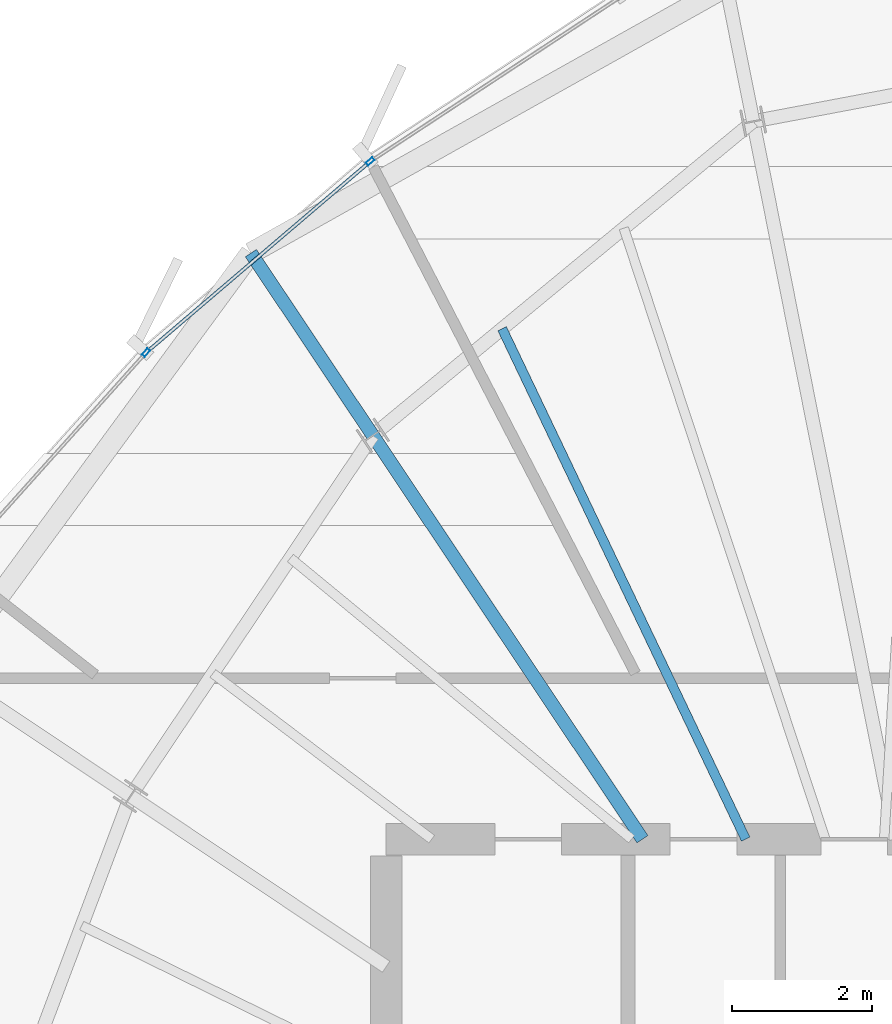
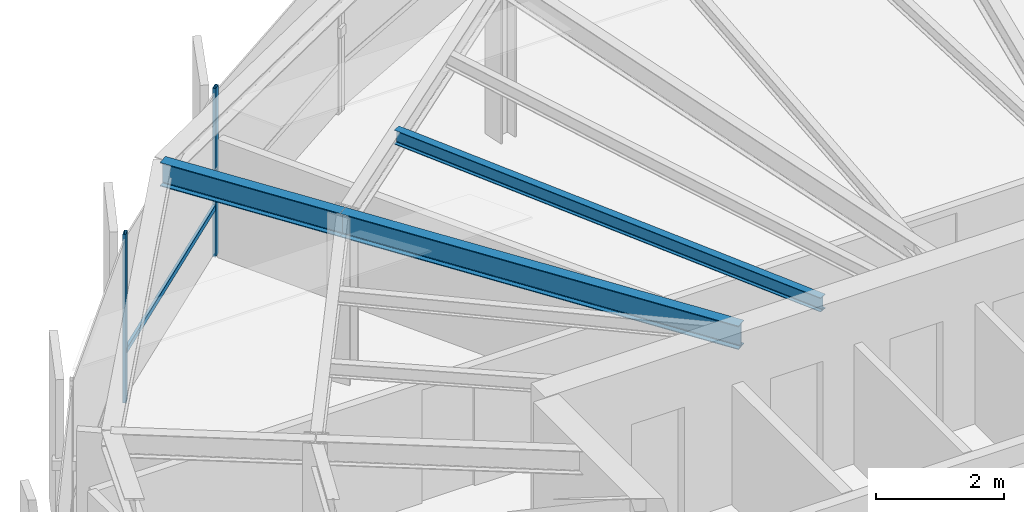
# One storey, part 20 of 35: 3 beams, 3 members, 1 element without a shape of its own.
"""IFC4 building model written with IfcOpenShell, lengths in metres."""

from ifc_helpers import new_model, si_unit, direction, frame, origin, origin_2d, place, context, subcontext, project, spatial, hollow_rectangle, i_section, extrude, source, transform, mapped, material, layer, layer_set, material_profile, profile_set, type_object, element, aggregate, save


model = new_model("IFC4")

# Units and contexts
model_context = context("Model", 3, precision=1e-05, world=origin(), true_north=direction((0.0, 1.0)))
body_context = subcontext(model_context, "Body", "Model", "MODEL_VIEW")
ifc_project = project(units=[si_unit("LENGTHUNIT", "METRE"), si_unit("AREAUNIT", "SQUARE_METRE"), si_unit("VOLUMEUNIT", "CUBIC_METRE"), si_unit("PLANEANGLEUNIT", "RADIAN"), si_unit("MASSUNIT", "GRAM", prefix="KILO"), si_unit("THERMODYNAMICTEMPERATUREUNIT", "KELVIN")], contexts=[model_context])

# Site, building, storey
site_placement = place(None, origin())
site = spatial("IfcSite", under=ifc_project, at=site_placement, CompositionType="ELEMENT")
building_placement = place(site_placement, origin())
building = spatial("IfcBuilding", under=site, at=building_placement, Name="Kethvar Cultural Tower", CompositionType="ELEMENT")
storey_placement = place(building_placement, frame((0.0, 0.0, 245.64990234375)))
storey = spatial("IfcBuildingStorey", under=building, at=storey_placement, Name="L64", CompositionType="ELEMENT", Elevation=245.64990234375)

# Beams
ifc_material_1 = material(Name="Steel S355J2", Category="steel")
ifc_material_profile_1 = material_profile(ifc_material_1, i_section(OverallWidth=0.18994140625, OverallDepth=0.449951171875, WebThickness=0.009521484375, FlangeThickness=0.0146484375, FilletRadius=0.02099609375, at=origin_2d()), Name="Steel S355J2 — IPE450")
ifc_profile_set_1 = profile_set([ifc_material_profile_1], Name="Steel S355J2 — IPE450")
beam_type_1 = type_object("IfcBeamType", Name="BM-IPE450", PredefinedType="BEAM", material=ifc_profile_set_1)
shared_shape_1 = source(origin(), body_context, "Body", "SweptSolid", [
    extrude(i_section(OverallWidth=0.18994140625, OverallDepth=0.449951171875, WebThickness=0.009521484375, FlangeThickness=0.0146484375, FilletRadius=0.02099609375, at=origin_2d()), origin(), (0.0, 0.0, 1.0), 6.921630859375),
])
beam_1_placement = place(storey_placement, frame((41.655029296875, 35.5, 2.983154296875), z_axis=(-0.555570841874, 0.831469205479, 0.0), x_axis=(-0.831469205479, -0.555570841874, 0.0)))
element("IfcBeam", 1, at=beam_1_placement, inside=storey, type_object=beam_type_1, Name="L64 Primary Radial Beam RB-06", PredefinedType="BEAM", context=body_context, shape_type="MappedRepresentation", body=[
    mapped(shared_shape_1, transform((0.0, 0.0, 0.0), scale=1.0)),
])
ifc_material_profile_2 = material_profile(ifc_material_1, i_section(OverallWidth=0.135009765625, OverallDepth=0.27001953125, WebThickness=0.006591796875, FlangeThickness=0.01025390625, FilletRadius=0.014892578125, at=origin_2d()), Name="Steel S355J2 — IPE270")
ifc_profile_set_2 = profile_set([ifc_material_profile_2], Name="Steel S355J2 — IPE270")
beam_type_2 = type_object("IfcBeamType", Name="BM-J270", PredefinedType="JOIST", material=ifc_profile_set_2)
shared_shape_2 = source(origin(), body_context, "Body", "SweptSolid", [
    extrude(i_section(OverallWidth=0.135009765625, OverallDepth=0.27001953125, WebThickness=0.006591796875, FlangeThickness=0.01025390625, FilletRadius=0.014892578125, at=origin_2d()), origin(), (0.0, 0.0, 1.0), 8.063232421875),
])
beam_2_placement = place(storey_placement, frame((43.1259765625, 35.5, 3.072998046875), z_axis=(-0.430642151588, 0.902522762746, 0.0), x_axis=(-0.902522762746, -0.430642151588, 0.0)))
element("IfcBeam", 2, at=beam_2_placement, inside=storey, type_object=beam_type_2, Name="L64 Composite Floor Joist J-05B", PredefinedType="JOIST", context=body_context, shape_type="MappedRepresentation", body=[
    mapped(shared_shape_2, transform((0.0, 0.0, 0.0), scale=1.0)),
])
shared_shape_3 = source(origin(), body_context, "Body", "SweptSolid", [
    extrude(i_section(OverallWidth=0.18994140625, OverallDepth=0.449951171875, WebThickness=0.009521484375, FlangeThickness=0.0146484375, FilletRadius=0.02099609375, at=origin_2d()), origin(), (0.0, 0.0, 1.0), 3.12841796875),
])
beam_3_placement = place(storey_placement, frame((37.8095703125, 41.255126953125, 2.983154296875), z_axis=(-0.555582361327, 0.831461508299, 0.0), x_axis=(-0.831461508299, -0.555582361327, 0.0)))
element("IfcBeam", 3, at=beam_3_placement, inside=storey, type_object=beam_type_1, Name="L64 Perimeter Cantilever Beam RC-06", PredefinedType="BEAM", context=body_context, shape_type="MappedRepresentation", body=[
    mapped(shared_shape_3, transform((0.0, 0.0, 0.0), scale=1.0)),
])

# Curtain wall, members
ifc_material_2 = material(Name="Aluminium 6063-T6", Category="aluminium")
ifc_layer = layer(ifc_material_2, 0.179931640625, Name="Aluminium 6063-T6", Category="aluminium")
ifc_layer_set = layer_set([ifc_layer], Name="Aluminium 6063-T6 (180 mm)")
curtain_wall_type = type_object("IfcCurtainWallType", Name="CW-SYS-05-Z56", PredefinedType="NOTDEFINED", material=ifc_layer_set)
curtain_wall_placement = place(storey_placement, origin())
curtain_wall = element("IfcCurtainWall", 4, at=curtain_wall_placement, inside=storey, type_object=curtain_wall_type, Name="L64 Curtain Wall Run 02", PredefinedType="NOTDEFINED")
ifc_material_profile_3 = material_profile(ifc_material_2, hollow_rectangle(XDim=0.054931640625, YDim=0.1201171875, WallThickness=0.00390625, at=origin_2d()), Name="Aluminium 6063-T6 — RHS120x55x4")
ifc_profile_set_3 = profile_set([ifc_material_profile_3], Name="Aluminium 6063-T6 — RHS120x55x4")
member_type_1 = type_object("IfcMemberType", Name="CW-SYS-05-Z56-MUL", PredefinedType="MULLION", material=ifc_profile_set_3)
shared_shape_4 = source(origin(), body_context, "Body", "SweptSolid", [
    extrude(hollow_rectangle(XDim=0.054931640625, YDim=0.1201171875, WallThickness=0.00390625, at=origin_2d()), origin(), (0.0, 0.0, 1.0), 3.210205078125),
])
member_1_placement = place(storey_placement, frame((37.774658203125, 45.163330078125, 0.0), z_axis=(0.0, 0.0, 1.0), x_axis=(0.648943585197, -0.760836528587, 0.0)))
member_1 = element("IfcMember", 5, at=member_1_placement, type_object=member_type_1, Name="CW-L64-R02 Mullion 2", PredefinedType="MULLION", context=body_context, shape_type="MappedRepresentation", body=[
    mapped(shared_shape_4, transform((0.0, 0.0, 0.0), scale=1.0)),
])
member_2_placement = place(storey_placement, frame((34.5751953125, 42.435546875, 0.0), z_axis=(0.0, 0.0, 1.0), x_axis=(0.744859121963, -0.667221768552, 0.0)))
member_2 = element("IfcMember", 6, at=member_2_placement, type_object=member_type_1, Name="CW-L64-R02 Mullion 3", PredefinedType="MULLION", context=body_context, shape_type="MappedRepresentation", body=[
    mapped(shared_shape_4, transform((0.0, 0.0, 0.0), scale=1.0)),
])
ifc_material_profile_4 = material_profile(ifc_material_2, hollow_rectangle(XDim=0.050048828125, YDim=0.10009765625, WallThickness=0.00390625, at=origin_2d()), Name="Aluminium 6063-T6 — RHS100x50x4")
ifc_profile_set_4 = profile_set([ifc_material_profile_4], Name="Aluminium 6063-T6 — RHS100x50x4")
member_type_2 = type_object("IfcMemberType", Name="CW-SYS-05-Z56-TRN", PredefinedType="USERDEFINED", material=ifc_profile_set_4)
shared_shape_5 = source(origin(), body_context, "Body", "SweptSolid", [
    extrude(hollow_rectangle(XDim=0.050048828125, YDim=0.10009765625, WallThickness=0.00390625, at=origin_2d()), origin(), (0.0, 0.0, 1.0), 4.138671875),
])
member_3_placement = place(storey_placement, frame((37.74462890625, 45.1376953125, 0.9501953125), z_axis=(-0.760840804926, -0.648938571484, 0.0), x_axis=(0.648938571484, -0.760840804926, 0.0)))
member_3 = element("IfcMember", 7, at=member_3_placement, type_object=member_type_2, Name="CW-L64-R02 Transom 2", ObjectType="TRANSOM", PredefinedType="USERDEFINED", context=body_context, shape_type="MappedRepresentation", body=[
    mapped(shared_shape_5, transform((0.0, 0.0, 0.0), scale=1.0)),
])
aggregate(curtain_wall, [member_1, member_2, member_3])

save(model, "model.ifc")
